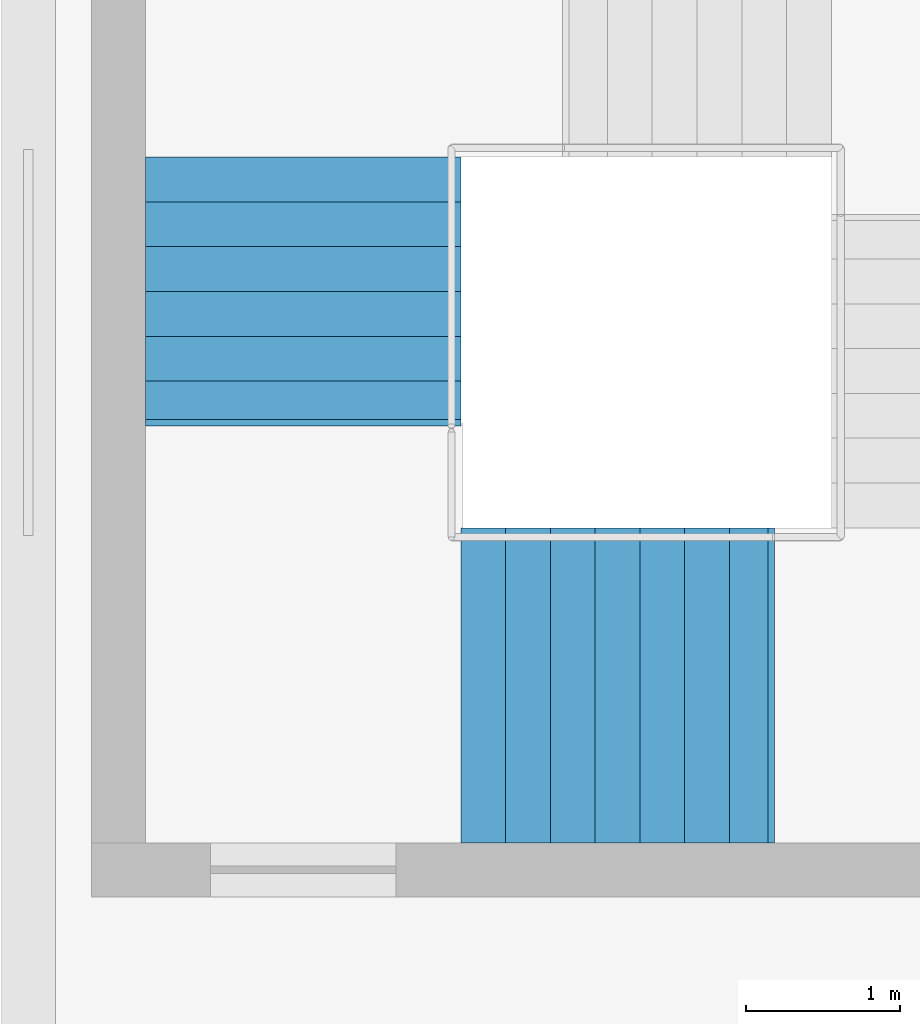
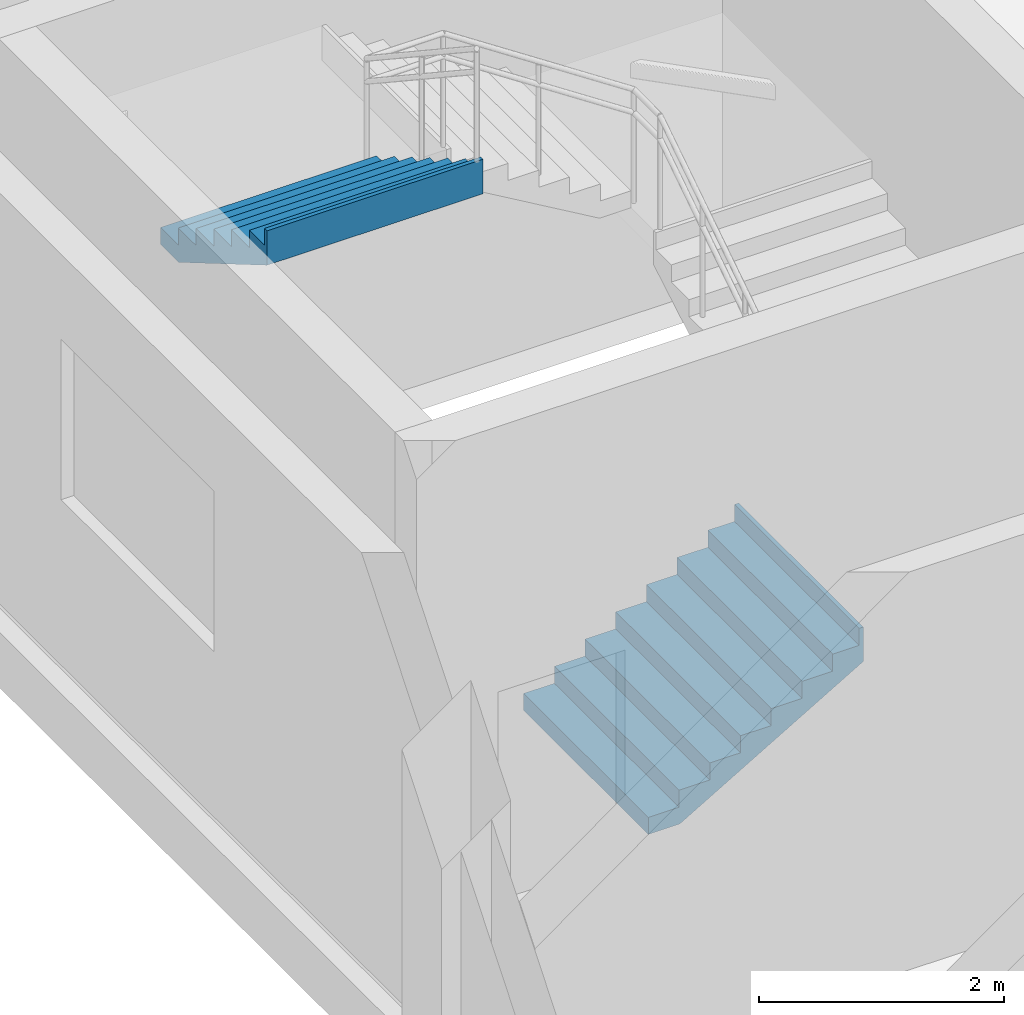
# One storey, part 50 of 58: 2 stair flights, 1 element without a shape of its own.
"""IFC4 building model written with IfcOpenShell, lengths in metres."""

from ifc_helpers import new_model, si_unit, direction, frame, origin, place, context, subcontext, project, spatial, triangles, material, type_object, element, aggregate, save


model = new_model("IFC4")

# Units and contexts
model_context = context("Model", 3, precision=1e-05, world=origin(), true_north=direction((0.0, 1.0)))
body_context = subcontext(model_context, "Body", "Model", "MODEL_VIEW")
ifc_project = project(units=[si_unit("LENGTHUNIT", "METRE"), si_unit("AREAUNIT", "SQUARE_METRE"), si_unit("VOLUMEUNIT", "CUBIC_METRE"), si_unit("PLANEANGLEUNIT", "RADIAN"), si_unit("MASSUNIT", "GRAM", prefix="KILO")], contexts=[model_context])

# Site, building, storey
site_placement = place(None, origin())
site = spatial("IfcSite", under=ifc_project, at=site_placement, CompositionType="ELEMENT")
building_placement = place(site_placement, origin())
building = spatial("IfcBuilding", under=site, at=building_placement, Name="Sillaruma Civic Art Gallery", CompositionType="ELEMENT")
storey_placement = place(building_placement, frame((0.0, 0.0, 52.02001953125)))
storey = spatial("IfcBuildingStorey", under=building, at=storey_placement, Name="L10", CompositionType="ELEMENT", Elevation=52.02001953125)

# Stair, stair flights
ifc_material = material(Name="Concrete H35 (35 MPa)", Category="concrete")
stair_type = type_object("IfcStairType", Name="STR-4F-30", PredefinedType="USERDEFINED", material=ifc_material)
stair_placement = place(storey_placement, origin())
stair = element("IfcStair", 1, at=stair_placement, inside=storey, type_object=stair_type, Name="Protected Exit Stair ST-03 (West Bar South) (L10)", ObjectType="THREE_RETURN_STAIR", PredefinedType="USERDEFINED")
stair_flight_type_1 = type_object("IfcStairFlightType", Name="SFL-STR-7", PredefinedType="STRAIGHT", material=ifc_material)
stair_flight_1_placement = place(storey_placement, frame((63.780029296875, 35.85009765625, 3.909912109375), z_axis=(0.0, 0.0, 1.0), x_axis=(0.0, -1.0, 0.0)))
stair_flight_1 = element("IfcStairFlight", 2, at=stair_flight_1_placement, type_object=stair_flight_type_1, Name="ST-03 flight 4", NumberOfRisers=7, NumberOfTreads=6, PredefinedType="STRAIGHT", RiserHeight=0.17, TreadLength=0.29, context=body_context, shape_type="Tessellation", body=[
    triangles([(0.0, -1.02001953125, 0.0), (0.29, -1.02001953125, 0.0), (0.296404, -1.02001953125, 0.0), (0.58, -1.02001953125, 0.166246), (0.87, -1.02001953125, 0.336246), (1.16, -1.02001953125, 0.506246), (1.45, -1.02001953125, 0.676246), (1.69999, -1.02001953125, 0.822792), (1.73999, -1.02001953125, 0.84624), (1.73999, -1.02001953125, 1.19), (1.69999, -1.02001953125, 1.19), (1.69999, -1.02001953125, 1.02), (1.45, -1.02001953125, 1.02), (1.45, -1.02001953125, 0.85), (1.16, -1.02001953125, 0.85), (1.16, -1.02001953125, 0.68), (0.87, -1.02001953125, 0.68), (0.87, -1.02001953125, 0.51), (0.58, -1.02001953125, 0.51), (0.58, -1.02001953125, 0.34), (0.296404, -1.02001953125, 0.34), (0.29, -1.02001953125, 0.34), (0.29, -1.02001953125, 0.17), (0.0, -1.02001953125, 0.17), (0.0, -0.05, 0.0), (0.29, -0.05, 0.0), (0.296404, -0.05, 0.0), (0.58, -0.05, 0.166246), (0.87, -0.05, 0.336246), (1.16, -0.05, 0.506246), (1.45, -0.05, 0.676246), (1.69999, -0.05, 0.822792), (1.73999, -0.05, 0.84624), (1.73999, -0.05, 1.19), (1.69999, -0.05, 1.19), (1.69999, -0.05, 1.02), (1.45, -0.05, 1.02), (1.45, -0.05, 0.85), (1.16, -0.05, 0.85), (1.16, -0.05, 0.68), (0.87, -0.05, 0.68), (0.87, -0.05, 0.51), (0.58, -0.05, 0.51), (0.58, -0.05, 0.34), (0.296404, -0.05, 0.34), (0.29, -0.05, 0.34), (0.29, -0.05, 0.17), (0.0, -0.05, 0.17), (0.0, -0.0375, 0.0), (0.29, -0.0375, 0.0), (0.296404, -0.0375, 0.0), (0.58, -0.0375, 0.166246), (0.87, -0.0375, 0.336246), (1.16, -0.0375, 0.506246), (1.45, -0.0375, 0.676246), (1.69999, -0.0375, 0.822792), (1.73999, -0.0375, 0.84624), (1.73999, -0.0375, 1.19), (1.69999, -0.0375, 1.19), (1.69999, -0.0375, 1.02), (1.45, -0.0375, 1.02), (1.45, -0.0375, 0.85), (1.16, -0.0375, 0.85), (1.16, -0.0375, 0.68), (0.87, -0.0375, 0.68), (0.87, -0.0375, 0.51), (0.58, -0.0375, 0.51), (0.58, -0.0375, 0.34), (0.296404, -0.0375, 0.34), (0.29, -0.0375, 0.34), (0.29, -0.0375, 0.17), (0.0, -0.0375, 0.17), (0.0, -0.025, 0.0), (0.29, -0.025, 0.0), (0.296404, -0.025, 0.0), (0.58, -0.025, 0.166246), (0.87, -0.025, 0.336246), (1.16, -0.025, 0.506246), (1.45, -0.025, 0.676246), (1.69999, -0.025, 0.822792), (1.73999, -0.025, 0.84624), (1.73999, -0.025, 1.19), (1.69999, -0.025, 1.19), (1.69999, -0.025, 1.02), (1.45, -0.025, 1.02), (1.45, -0.025, 0.85), (1.16, -0.025, 0.85), (1.16, -0.025, 0.68), (0.87, -0.025, 0.68), (0.87, -0.025, 0.51), (0.58, -0.025, 0.51), (0.58, -0.025, 0.34), (0.296404, -0.025, 0.34), (0.29, -0.025, 0.34), (0.29, -0.025, 0.17), (0.0, -0.025, 0.17), (0.0, -0.0125, 0.0), (0.29, -0.0125, 0.0), (0.296404, -0.0125, 0.0), (0.58, -0.0125, 0.166246), (0.87, -0.0125, 0.336246), (1.16, -0.0125, 0.506246), (1.45, -0.0125, 0.676246), (1.69999, -0.0125, 0.822792), (1.73999, -0.0125, 0.84624), (1.73999, -0.0125, 1.19), (1.69999, -0.0125, 1.19), (1.69999, -0.0125, 1.02), (1.45, -0.0125, 1.02), (1.45, -0.0125, 0.85), (1.16, -0.0125, 0.85), (1.16, -0.0125, 0.68), (0.87, -0.0125, 0.68), (0.87, -0.0125, 0.51), (0.58, -0.0125, 0.51), (0.58, -0.0125, 0.34), (0.296404, -0.0125, 0.34), (0.29, -0.0125, 0.34), (0.29, -0.0125, 0.17), (0.0, -0.0125, 0.17), (0.0, 0.0, 0.0), (0.29, 0.0, 0.0), (0.296404, 0.0, 0.0), (0.58, 0.0, 0.166246), (0.87, 0.0, 0.336246), (1.16, 0.0, 0.506246), (1.45, 0.0, 0.676246), (1.69999, 0.0, 0.822792), (1.73999, 0.0, 0.84624), (1.73999, 0.0, 1.19), (1.69999, 0.0, 1.19), (1.69999, 0.0, 1.02), (1.45, 0.0, 1.02), (1.45, 0.0, 0.85), (1.16, 0.0, 0.85), (1.16, 0.0, 0.68), (0.87, 0.0, 0.68), (0.87, 0.0, 0.51), (0.58, 0.0, 0.51), (0.58, 0.0, 0.34), (0.296404, 0.0, 0.34), (0.29, 0.0, 0.34), (0.29, 0.0, 0.17), (0.0, 0.0, 0.17), (0.0, 0.0125, 0.0), (0.29, 0.0125, 0.0), (0.296404, 0.0125, 0.0), (0.58, 0.0125, 0.166246), (0.87, 0.0125, 0.336246), (1.16, 0.0125, 0.506246), (1.45, 0.0125, 0.676246), (1.69999, 0.0125, 0.822792), (1.73999, 0.0125, 0.84624), (1.73999, 0.0125, 1.19), (1.69999, 0.0125, 1.19), (1.69999, 0.0125, 1.02), (1.45, 0.0125, 1.02), (1.45, 0.0125, 0.85), (1.16, 0.0125, 0.85), (1.16, 0.0125, 0.68), (0.87, 0.0125, 0.68), (0.87, 0.0125, 0.51), (0.58, 0.0125, 0.51), (0.58, 0.0125, 0.34), (0.296404, 0.0125, 0.34), (0.29, 0.0125, 0.34), (0.29, 0.0125, 0.17), (0.0, 0.0125, 0.17), (0.0, 0.025, 0.0), (0.29, 0.025, 0.0), (0.296404, 0.025, 0.0), (0.58, 0.025, 0.166246), (0.87, 0.025, 0.336246), (1.16, 0.025, 0.506246), (1.45, 0.025, 0.676246), (1.69999, 0.025, 0.822792), (1.73999, 0.025, 0.84624), (1.73999, 0.025, 1.19), (1.69999, 0.025, 1.19), (1.69999, 0.025, 1.02), (1.45, 0.025, 1.02), (1.45, 0.025, 0.85), (1.16, 0.025, 0.85), (1.16, 0.025, 0.68), (0.87, 0.025, 0.68), (0.87, 0.025, 0.51), (0.58, 0.025, 0.51), (0.58, 0.025, 0.34), (0.296404, 0.025, 0.34), (0.29, 0.025, 0.34), (0.29, 0.025, 0.17), (0.0, 0.025, 0.17), (0.0, 0.0375, 0.0), (0.29, 0.0375, 0.0), (0.296404, 0.0375, 0.0), (0.58, 0.0375, 0.166246), (0.87, 0.0375, 0.336246), (1.16, 0.0375, 0.506246), (1.45, 0.0375, 0.676246), (1.69999, 0.0375, 0.822792), (1.73999, 0.0375, 0.84624), (1.73999, 0.0375, 1.19), (1.69999, 0.0375, 1.19), (1.69999, 0.0375, 1.02), (1.45, 0.0375, 1.02), (1.45, 0.0375, 0.85), (1.16, 0.0375, 0.85), (1.16, 0.0375, 0.68), (0.87, 0.0375, 0.68), (0.87, 0.0375, 0.51), (0.58, 0.0375, 0.51), (0.58, 0.0375, 0.34), (0.296404, 0.0375, 0.34), (0.29, 0.0375, 0.34), (0.29, 0.0375, 0.17), (0.0, 0.0375, 0.17), (0.0, 0.05, 0.0), (0.29, 0.05, 0.0), (0.296404, 0.05, 0.0), (0.58, 0.05, 0.166246), (0.87, 0.05, 0.336246), (1.16, 0.05, 0.506246), (1.45, 0.05, 0.676246), (1.69999, 0.05, 0.822792), (1.73999, 0.05, 0.84624), (1.73999, 0.05, 1.19), (1.69999, 0.05, 1.19), (1.69999, 0.05, 1.02), (1.45, 0.05, 1.02), (1.45, 0.05, 0.85), (1.16, 0.05, 0.85), (1.16, 0.05, 0.68), (0.87, 0.05, 0.68), (0.87, 0.05, 0.51), (0.58, 0.05, 0.51), (0.58, 0.05, 0.34), (0.296404, 0.05, 0.34), (0.29, 0.05, 0.34), (0.29, 0.05, 0.17), (0.0, 0.05, 0.17), (0.0, 1.02001953125, 0.0), (0.29, 1.02001953125, 0.0), (0.296404, 1.02001953125, 0.0), (0.58, 1.02001953125, 0.166246), (0.87, 1.02001953125, 0.336246), (1.16, 1.02001953125, 0.506246), (1.45, 1.02001953125, 0.676246), (1.69999, 1.02001953125, 0.822792), (1.73999, 1.02001953125, 0.84624), (1.73999, 1.02001953125, 1.19), (1.69999, 1.02001953125, 1.19), (1.69999, 1.02001953125, 1.02), (1.45, 1.02001953125, 1.02), (1.45, 1.02001953125, 0.85), (1.16, 1.02001953125, 0.85), (1.16, 1.02001953125, 0.68), (0.87, 1.02001953125, 0.68), (0.87, 1.02001953125, 0.51), (0.58, 1.02001953125, 0.51), (0.58, 1.02001953125, 0.34), (0.296404, 1.02001953125, 0.34), (0.29, 1.02001953125, 0.34), (0.29, 1.02001953125, 0.17), (0.0, 1.02001953125, 0.17)], [[1, 2, 23], [1, 23, 24], [2, 3, 21], [2, 21, 23], [23, 21, 22], [3, 4, 20], [3, 20, 21], [4, 5, 18], [4, 18, 20], [20, 18, 19], [5, 6, 16], [5, 16, 18], [18, 16, 17], [6, 7, 14], [6, 14, 16], [16, 14, 15], [7, 8, 12], [7, 12, 14], [14, 12, 13], [8, 9, 10], [8, 10, 12], [12, 10, 11], [263, 242, 241], [264, 263, 241], [261, 243, 242], [263, 261, 242], [262, 261, 263], [260, 244, 243], [261, 260, 243], [258, 245, 244], [260, 258, 244], [259, 258, 260], [256, 246, 245], [258, 256, 245], [257, 256, 258], [254, 247, 246], [256, 254, 246], [255, 254, 256], [252, 248, 247], [254, 252, 247], [253, 252, 254], [250, 249, 248], [252, 250, 248], [251, 250, 252], [2, 1, 25], [2, 25, 26], [3, 2, 26], [3, 26, 27], [4, 3, 27], [4, 27, 28], [5, 4, 28], [5, 28, 29], [6, 5, 29], [6, 29, 30], [7, 6, 30], [7, 30, 31], [8, 7, 31], [8, 31, 32], [9, 8, 32], [9, 32, 33], [10, 9, 33], [10, 33, 34], [11, 10, 34], [11, 34, 35], [12, 11, 35], [12, 35, 36], [13, 12, 36], [13, 36, 37], [14, 13, 37], [14, 37, 38], [15, 14, 38], [15, 38, 39], [16, 15, 39], [16, 39, 40], [17, 16, 40], [17, 40, 41], [18, 17, 41], [18, 41, 42], [19, 18, 42], [19, 42, 43], [20, 19, 43], [20, 43, 44], [21, 20, 44], [21, 44, 45], [22, 21, 45], [22, 45, 46], [23, 22, 46], [23, 46, 47], [24, 23, 47], [24, 47, 48], [1, 24, 48], [1, 48, 25], [26, 25, 49], [26, 49, 50], [27, 26, 50], [27, 50, 51], [28, 27, 51], [28, 51, 52], [29, 28, 52], [29, 52, 53], [30, 29, 53], [30, 53, 54], [31, 30, 54], [31, 54, 55], [32, 31, 55], [32, 55, 56], [33, 32, 56], [33, 56, 57], [34, 33, 57], [34, 57, 58], [35, 34, 58], [35, 58, 59], [36, 35, 59], [36, 59, 60], [37, 36, 60], [37, 60, 61], [38, 37, 61], [38, 61, 62], [39, 38, 62], [39, 62, 63], [40, 39, 63], [40, 63, 64], [41, 40, 64], [41, 64, 65], [42, 41, 65], [42, 65, 66], [43, 42, 66], [43, 66, 67], [44, 43, 67], [44, 67, 68], [45, 44, 68], [45, 68, 69], [46, 45, 69], [46, 69, 70], [47, 46, 70], [47, 70, 71], [48, 47, 71], [48, 71, 72], [25, 48, 72], [25, 72, 49], [50, 49, 73], [50, 73, 74], [51, 50, 74], [51, 74, 75], [52, 51, 75], [52, 75, 76], [53, 52, 76], [53, 76, 77], [54, 53, 77], [54, 77, 78], [55, 54, 78], [55, 78, 79], [56, 55, 79], [56, 79, 80], [57, 56, 80], [57, 80, 81], [58, 57, 81], [58, 81, 82], [59, 58, 82], [59, 82, 83], [60, 59, 83], [60, 83, 84], [61, 60, 84], [61, 84, 85], [62, 61, 85], [62, 85, 86], [63, 62, 86], [63, 86, 87], [64, 63, 87], [64, 87, 88], [65, 64, 88], [65, 88, 89], [66, 65, 89], [66, 89, 90], [67, 66, 90], [67, 90, 91], [68, 67, 91], [68, 91, 92], [69, 68, 92], [69, 92, 93], [70, 69, 93], [70, 93, 94], [71, 70, 94], [71, 94, 95], [72, 71, 95], [72, 95, 96], [49, 72, 96], [49, 96, 73], [74, 73, 97], [74, 97, 98], [75, 74, 98], [75, 98, 99], [76, 75, 99], [76, 99, 100], [77, 76, 100], [77, 100, 101], [78, 77, 101], [78, 101, 102], [79, 78, 102], [79, 102, 103], [80, 79, 103], [80, 103, 104], [81, 80, 104], [81, 104, 105], [82, 81, 105], [82, 105, 106], [83, 82, 106], [83, 106, 107], [84, 83, 107], [84, 107, 108], [85, 84, 108], [85, 108, 109], [86, 85, 109], [86, 109, 110], [87, 86, 110], [87, 110, 111], [88, 87, 111], [88, 111, 112], [89, 88, 112], [89, 112, 113], [90, 89, 113], [90, 113, 114], [91, 90, 114], [91, 114, 115], [92, 91, 115], [92, 115, 116], [93, 92, 116], [93, 116, 117], [94, 93, 117], [94, 117, 118], [95, 94, 118], [95, 118, 119], [96, 95, 119], [96, 119, 120], [73, 96, 120], [73, 120, 97], [98, 97, 121], [98, 121, 122], [99, 98, 122], [99, 122, 123], [100, 99, 123], [100, 123, 124], [101, 100, 124], [101, 124, 125], [102, 101, 125], [102, 125, 126], [103, 102, 126], [103, 126, 127], [104, 103, 127], [104, 127, 128], [105, 104, 128], [105, 128, 129], [106, 105, 129], [106, 129, 130], [107, 106, 130], [107, 130, 131], [108, 107, 131], [108, 131, 132], [109, 108, 132], [109, 132, 133], [110, 109, 133], [110, 133, 134], [111, 110, 134], [111, 134, 135], [112, 111, 135], [112, 135, 136], [113, 112, 136], [113, 136, 137], [114, 113, 137], [114, 137, 138], [115, 114, 138], [115, 138, 139], [116, 115, 139], [116, 139, 140], [117, 116, 140], [117, 140, 141], [118, 117, 141], [118, 141, 142], [119, 118, 142], [119, 142, 143], [120, 119, 143], [120, 143, 144], [97, 120, 144], [97, 144, 121], [122, 121, 145], [122, 145, 146], [123, 122, 146], [123, 146, 147], [124, 123, 147], [124, 147, 148], [125, 124, 148], [125, 148, 149], [126, 125, 149], [126, 149, 150], [127, 126, 150], [127, 150, 151], [128, 127, 151], [128, 151, 152], [129, 128, 152], [129, 152, 153], [130, 129, 153], [130, 153, 154], [131, 130, 154], [131, 154, 155], [132, 131, 155], [132, 155, 156], [133, 132, 156], [133, 156, 157], [134, 133, 157], [134, 157, 158], [135, 134, 158], [135, 158, 159], [136, 135, 159], [136, 159, 160], [137, 136, 160], [137, 160, 161], [138, 137, 161], [138, 161, 162], [139, 138, 162], [139, 162, 163], [140, 139, 163], [140, 163, 164], [141, 140, 164], [141, 164, 165], [142, 141, 165], [142, 165, 166], [143, 142, 166], [143, 166, 167], [144, 143, 167], [144, 167, 168], [121, 144, 168], [121, 168, 145], [146, 145, 169], [146, 169, 170], [147, 146, 170], [147, 170, 171], [148, 147, 171], [148, 171, 172], [149, 148, 172], [149, 172, 173], [150, 149, 173], [150, 173, 174], [151, 150, 174], [151, 174, 175], [152, 151, 175], [152, 175, 176], [153, 152, 176], [153, 176, 177], [154, 153, 177], [154, 177, 178], [155, 154, 178], [155, 178, 179], [156, 155, 179], [156, 179, 180], [157, 156, 180], [157, 180, 181], [158, 157, 181], [158, 181, 182], [159, 158, 182], [159, 182, 183], [160, 159, 183], [160, 183, 184], [161, 160, 184], [161, 184, 185], [162, 161, 185], [162, 185, 186], [163, 162, 186], [163, 186, 187], [164, 163, 187], [164, 187, 188], [165, 164, 188], [165, 188, 189], [166, 165, 189], [166, 189, 190], [167, 166, 190], [167, 190, 191], [168, 167, 191], [168, 191, 192], [145, 168, 192], [145, 192, 169], [170, 169, 193], [170, 193, 194], [171, 170, 194], [171, 194, 195], [172, 171, 195], [172, 195, 196], [173, 172, 196], [173, 196, 197], [174, 173, 197], [174, 197, 198], [175, 174, 198], [175, 198, 199], [176, 175, 199], [176, 199, 200], [177, 176, 200], [177, 200, 201], [178, 177, 201], [178, 201, 202], [179, 178, 202], [179, 202, 203], [180, 179, 203], [180, 203, 204], [181, 180, 204], [181, 204, 205], [182, 181, 205], [182, 205, 206], [183, 182, 206], [183, 206, 207], [184, 183, 207], [184, 207, 208], [185, 184, 208], [185, 208, 209], [186, 185, 209], [186, 209, 210], [187, 186, 210], [187, 210, 211], [188, 187, 211], [188, 211, 212], [189, 188, 212], [189, 212, 213], [190, 189, 213], [190, 213, 214], [191, 190, 214], [191, 214, 215], [192, 191, 215], [192, 215, 216], [169, 192, 216], [169, 216, 193], [194, 193, 217], [194, 217, 218], [195, 194, 218], [195, 218, 219], [196, 195, 219], [196, 219, 220], [197, 196, 220], [197, 220, 221], [198, 197, 221], [198, 221, 222], [199, 198, 222], [199, 222, 223], [200, 199, 223], [200, 223, 224], [201, 200, 224], [201, 224, 225], [202, 201, 225], [202, 225, 226], [203, 202, 226], [203, 226, 227], [204, 203, 227], [204, 227, 228], [205, 204, 228], [205, 228, 229], [206, 205, 229], [206, 229, 230], [207, 206, 230], [207, 230, 231], [208, 207, 231], [208, 231, 232], [209, 208, 232], [209, 232, 233], [210, 209, 233], [210, 233, 234], [211, 210, 234], [211, 234, 235], [212, 211, 235], [212, 235, 236], [213, 212, 236], [213, 236, 237], [214, 213, 237], [214, 237, 238], [215, 214, 238], [215, 238, 239], [216, 215, 239], [216, 239, 240], [193, 216, 240], [193, 240, 217], [218, 217, 241], [218, 241, 242], [219, 218, 242], [219, 242, 243], [220, 219, 243], [220, 243, 244], [221, 220, 244], [221, 244, 245], [222, 221, 245], [222, 245, 246], [223, 222, 246], [223, 246, 247], [224, 223, 247], [224, 247, 248], [225, 224, 248], [225, 248, 249], [226, 225, 249], [226, 249, 250], [227, 226, 250], [227, 250, 251], [228, 227, 251], [228, 251, 252], [229, 228, 252], [229, 252, 253], [230, 229, 253], [230, 253, 254], [231, 230, 254], [231, 254, 255], [232, 231, 255], [232, 255, 256], [233, 232, 256], [233, 256, 257], [234, 233, 257], [234, 257, 258], [235, 234, 258], [235, 258, 259], [236, 235, 259], [236, 259, 260], [237, 236, 260], [237, 260, 261], [238, 237, 261], [238, 261, 262], [239, 238, 262], [239, 262, 263], [240, 239, 263], [240, 263, 264], [217, 240, 264], [217, 264, 241]], closed=True),
])
stair_flight_type_2 = type_object("IfcStairFlightType", Name="SFL-STR-8", PredefinedType="STRAIGHT", material=ifc_material)
stair_flight_2_placement = place(storey_placement, frame((64.800048828125, 32.429931640625, 0.0), z_axis=(0.0, 0.0, 1.0), x_axis=(1.0, 0.0, 0.0)))
stair_flight_2 = element("IfcStairFlight", 3, at=stair_flight_2_placement, type_object=stair_flight_type_2, Name="ST-03 flight 1", NumberOfRisers=8, NumberOfTreads=7, PredefinedType="STRAIGHT", RiserHeight=0.17, TreadLength=0.29, context=body_context, shape_type="Tessellation", body=[
    triangles([(0.0, -1.02001953125, 0.0), (0.29, -1.02001953125, 0.0), (0.296443, -1.02001953125, 0.0), (0.58, -1.02001953125, 0.166223), (0.87, -1.02001953125, 0.336223), (1.16, -1.02001953125, 0.506223), (1.45, -1.02001953125, 0.676223), (1.74, -1.02001953125, 0.846223), (1.990029, -1.02001953125, 0.992792), (2.030029, -1.02001953125, 1.01624), (2.030029, -1.02001953125, 1.36), (1.990029, -1.02001953125, 1.36), (1.990029, -1.02001953125, 1.19), (1.74, -1.02001953125, 1.19), (1.74, -1.02001953125, 1.02), (1.45, -1.02001953125, 1.02), (1.45, -1.02001953125, 0.85), (1.16, -1.02001953125, 0.85), (1.16, -1.02001953125, 0.68), (0.87, -1.02001953125, 0.68), (0.87, -1.02001953125, 0.51), (0.58, -1.02001953125, 0.51), (0.58, -1.02001953125, 0.34), (0.296443, -1.02001953125, 0.34), (0.29, -1.02001953125, 0.34), (0.29, -1.02001953125, 0.17), (0.0, -1.02001953125, 0.17), (0.0, -0.05, 0.0), (0.29, -0.05, 0.0), (0.296443, -0.05, 0.0), (0.58, -0.05, 0.166223), (0.87, -0.05, 0.336223), (1.16, -0.05, 0.506223), (1.45, -0.05, 0.676223), (1.74, -0.05, 0.846223), (1.990029, -0.05, 0.992792), (2.030029, -0.05, 1.01624), (2.030029, -0.05, 1.36), (1.990029, -0.05, 1.36), (1.990029, -0.05, 1.19), (1.74, -0.05, 1.19), (1.74, -0.05, 1.02), (1.45, -0.05, 1.02), (1.45, -0.05, 0.85), (1.16, -0.05, 0.85), (1.16, -0.05, 0.68), (0.87, -0.05, 0.68), (0.87, -0.05, 0.51), (0.58, -0.05, 0.51), (0.58, -0.05, 0.34), (0.296443, -0.05, 0.34), (0.29, -0.05, 0.34), (0.29, -0.05, 0.17), (0.0, -0.05, 0.17), (0.0, -0.0375, 0.0), (0.29, -0.0375, 0.0), (0.296443, -0.0375, 0.0), (0.58, -0.0375, 0.166223), (0.87, -0.0375, 0.336223), (1.16, -0.0375, 0.506223), (1.45, -0.0375, 0.676223), (1.74, -0.0375, 0.846223), (1.990029, -0.0375, 0.992792), (2.030029, -0.0375, 1.01624), (2.030029, -0.0375, 1.36), (1.990029, -0.0375, 1.36), (1.990029, -0.0375, 1.19), (1.74, -0.0375, 1.19), (1.74, -0.0375, 1.02), (1.45, -0.0375, 1.02), (1.45, -0.0375, 0.85), (1.16, -0.0375, 0.85), (1.16, -0.0375, 0.68), (0.87, -0.0375, 0.68), (0.87, -0.0375, 0.51), (0.58, -0.0375, 0.51), (0.58, -0.0375, 0.34), (0.296443, -0.0375, 0.34), (0.29, -0.0375, 0.34), (0.29, -0.0375, 0.17), (0.0, -0.0375, 0.17), (0.0, -0.025, 0.0), (0.29, -0.025, 0.0), (0.296443, -0.025, 0.0), (0.58, -0.025, 0.166223), (0.87, -0.025, 0.336223), (1.16, -0.025, 0.506223), (1.45, -0.025, 0.676223), (1.74, -0.025, 0.846223), (1.990029, -0.025, 0.992792), (2.030029, -0.025, 1.01624), (2.030029, -0.025, 1.36), (1.990029, -0.025, 1.36), (1.990029, -0.025, 1.19), (1.74, -0.025, 1.19), (1.74, -0.025, 1.02), (1.45, -0.025, 1.02), (1.45, -0.025, 0.85), (1.16, -0.025, 0.85), (1.16, -0.025, 0.68), (0.87, -0.025, 0.68), (0.87, -0.025, 0.51), (0.58, -0.025, 0.51), (0.58, -0.025, 0.34), (0.296443, -0.025, 0.34), (0.29, -0.025, 0.34), (0.29, -0.025, 0.17), (0.0, -0.025, 0.17), (0.0, -0.0125, 0.0), (0.29, -0.0125, 0.0), (0.296443, -0.0125, 0.0), (0.58, -0.0125, 0.166223), (0.87, -0.0125, 0.336223), (1.16, -0.0125, 0.506223), (1.45, -0.0125, 0.676223), (1.74, -0.0125, 0.846223), (1.990029, -0.0125, 0.992792), (2.030029, -0.0125, 1.01624), (2.030029, -0.0125, 1.36), (1.990029, -0.0125, 1.36), (1.990029, -0.0125, 1.19), (1.74, -0.0125, 1.19), (1.74, -0.0125, 1.02), (1.45, -0.0125, 1.02), (1.45, -0.0125, 0.85), (1.16, -0.0125, 0.85), (1.16, -0.0125, 0.68), (0.87, -0.0125, 0.68), (0.87, -0.0125, 0.51), (0.58, -0.0125, 0.51), (0.58, -0.0125, 0.34), (0.296443, -0.0125, 0.34), (0.29, -0.0125, 0.34), (0.29, -0.0125, 0.17), (0.0, -0.0125, 0.17), (0.0, 0.0, 0.0), (0.29, 0.0, 0.0), (0.296443, 0.0, 0.0), (0.58, 0.0, 0.166223), (0.87, 0.0, 0.336223), (1.16, 0.0, 0.506223), (1.45, 0.0, 0.676223), (1.74, 0.0, 0.846223), (1.990029, 0.0, 0.992792), (2.030029, 0.0, 1.01624), (2.030029, 0.0, 1.36), (1.990029, 0.0, 1.36), (1.990029, 0.0, 1.19), (1.74, 0.0, 1.19), (1.74, 0.0, 1.02), (1.45, 0.0, 1.02), (1.45, 0.0, 0.85), (1.16, 0.0, 0.85), (1.16, 0.0, 0.68), (0.87, 0.0, 0.68), (0.87, 0.0, 0.51), (0.58, 0.0, 0.51), (0.58, 0.0, 0.34), (0.296443, 0.0, 0.34), (0.29, 0.0, 0.34), (0.29, 0.0, 0.17), (0.0, 0.0, 0.17), (0.0, 0.0125, 0.0), (0.29, 0.0125, 0.0), (0.296443, 0.0125, 0.0), (0.58, 0.0125, 0.166223), (0.87, 0.0125, 0.336223), (1.16, 0.0125, 0.506223), (1.45, 0.0125, 0.676223), (1.74, 0.0125, 0.846223), (1.990029, 0.0125, 0.992792), (2.030029, 0.0125, 1.01624), (2.030029, 0.0125, 1.36), (1.990029, 0.0125, 1.36), (1.990029, 0.0125, 1.19), (1.74, 0.0125, 1.19), (1.74, 0.0125, 1.02), (1.45, 0.0125, 1.02), (1.45, 0.0125, 0.85), (1.16, 0.0125, 0.85), (1.16, 0.0125, 0.68), (0.87, 0.0125, 0.68), (0.87, 0.0125, 0.51), (0.58, 0.0125, 0.51), (0.58, 0.0125, 0.34), (0.296443, 0.0125, 0.34), (0.29, 0.0125, 0.34), (0.29, 0.0125, 0.17), (0.0, 0.0125, 0.17), (0.0, 0.025, 0.0), (0.29, 0.025, 0.0), (0.296443, 0.025, 0.0), (0.58, 0.025, 0.166223), (0.87, 0.025, 0.336223), (1.16, 0.025, 0.506223), (1.45, 0.025, 0.676223), (1.74, 0.025, 0.846223), (1.990029, 0.025, 0.992792), (2.030029, 0.025, 1.01624), (2.030029, 0.025, 1.36), (1.990029, 0.025, 1.36), (1.990029, 0.025, 1.19), (1.74, 0.025, 1.19), (1.74, 0.025, 1.02), (1.45, 0.025, 1.02), (1.45, 0.025, 0.85), (1.16, 0.025, 0.85), (1.16, 0.025, 0.68), (0.87, 0.025, 0.68), (0.87, 0.025, 0.51), (0.58, 0.025, 0.51), (0.58, 0.025, 0.34), (0.296443, 0.025, 0.34), (0.29, 0.025, 0.34), (0.29, 0.025, 0.17), (0.0, 0.025, 0.17), (0.0, 0.0375, 0.0), (0.29, 0.0375, 0.0), (0.296443, 0.0375, 0.0), (0.58, 0.0375, 0.166223), (0.87, 0.0375, 0.336223), (1.16, 0.0375, 0.506223), (1.45, 0.0375, 0.676223), (1.74, 0.0375, 0.846223), (1.990029, 0.0375, 0.992792), (2.030029, 0.0375, 1.01624), (2.030029, 0.0375, 1.36), (1.990029, 0.0375, 1.36), (1.990029, 0.0375, 1.19), (1.74, 0.0375, 1.19), (1.74, 0.0375, 1.02), (1.45, 0.0375, 1.02), (1.45, 0.0375, 0.85), (1.16, 0.0375, 0.85), (1.16, 0.0375, 0.68), (0.87, 0.0375, 0.68), (0.87, 0.0375, 0.51), (0.58, 0.0375, 0.51), (0.58, 0.0375, 0.34), (0.296443, 0.0375, 0.34), (0.29, 0.0375, 0.34), (0.29, 0.0375, 0.17), (0.0, 0.0375, 0.17), (0.0, 0.05, 0.0), (0.29, 0.05, 0.0), (0.296443, 0.05, 0.0), (0.58, 0.05, 0.166223), (0.87, 0.05, 0.336223), (1.16, 0.05, 0.506223), (1.45, 0.05, 0.676223), (1.74, 0.05, 0.846223), (1.990029, 0.05, 0.992792), (2.030029, 0.05, 1.01624), (2.030029, 0.05, 1.36), (1.990029, 0.05, 1.36), (1.990029, 0.05, 1.19), (1.74, 0.05, 1.19), (1.74, 0.05, 1.02), (1.45, 0.05, 1.02), (1.45, 0.05, 0.85), (1.16, 0.05, 0.85), (1.16, 0.05, 0.68), (0.87, 0.05, 0.68), (0.87, 0.05, 0.51), (0.58, 0.05, 0.51), (0.58, 0.05, 0.34), (0.296443, 0.05, 0.34), (0.29, 0.05, 0.34), (0.29, 0.05, 0.17), (0.0, 0.05, 0.17), (0.0, 1.02001953125, 0.0), (0.29, 1.02001953125, 0.0), (0.296443, 1.02001953125, 0.0), (0.58, 1.02001953125, 0.166223), (0.87, 1.02001953125, 0.336223), (1.16, 1.02001953125, 0.506223), (1.45, 1.02001953125, 0.676223), (1.74, 1.02001953125, 0.846223), (1.990029, 1.02001953125, 0.992792), (2.030029, 1.02001953125, 1.01624), (2.030029, 1.02001953125, 1.36), (1.990029, 1.02001953125, 1.36), (1.990029, 1.02001953125, 1.19), (1.74, 1.02001953125, 1.19), (1.74, 1.02001953125, 1.02), (1.45, 1.02001953125, 1.02), (1.45, 1.02001953125, 0.85), (1.16, 1.02001953125, 0.85), (1.16, 1.02001953125, 0.68), (0.87, 1.02001953125, 0.68), (0.87, 1.02001953125, 0.51), (0.58, 1.02001953125, 0.51), (0.58, 1.02001953125, 0.34), (0.296443, 1.02001953125, 0.34), (0.29, 1.02001953125, 0.34), (0.29, 1.02001953125, 0.17), (0.0, 1.02001953125, 0.17)], [[1, 2, 26], [1, 26, 27], [2, 3, 24], [2, 24, 26], [26, 24, 25], [3, 4, 23], [3, 23, 24], [4, 5, 21], [4, 21, 23], [23, 21, 22], [5, 6, 19], [5, 19, 21], [21, 19, 20], [6, 7, 17], [6, 17, 19], [19, 17, 18], [7, 8, 15], [7, 15, 17], [17, 15, 16], [8, 9, 13], [8, 13, 15], [15, 13, 14], [9, 10, 11], [9, 11, 13], [13, 11, 12], [296, 272, 271], [297, 296, 271], [294, 273, 272], [296, 294, 272], [295, 294, 296], [293, 274, 273], [294, 293, 273], [291, 275, 274], [293, 291, 274], [292, 291, 293], [289, 276, 275], [291, 289, 275], [290, 289, 291], [287, 277, 276], [289, 287, 276], [288, 287, 289], [285, 278, 277], [287, 285, 277], [286, 285, 287], [283, 279, 278], [285, 283, 278], [284, 283, 285], [281, 280, 279], [283, 281, 279], [282, 281, 283], [2, 1, 28], [2, 28, 29], [3, 2, 29], [3, 29, 30], [4, 3, 30], [4, 30, 31], [5, 4, 31], [5, 31, 32], [6, 5, 32], [6, 32, 33], [7, 6, 33], [7, 33, 34], [8, 7, 34], [8, 34, 35], [9, 8, 35], [9, 35, 36], [10, 9, 36], [10, 36, 37], [11, 10, 37], [11, 37, 38], [12, 11, 38], [12, 38, 39], [13, 12, 39], [13, 39, 40], [14, 13, 40], [14, 40, 41], [15, 14, 41], [15, 41, 42], [16, 15, 42], [16, 42, 43], [17, 16, 43], [17, 43, 44], [18, 17, 44], [18, 44, 45], [19, 18, 45], [19, 45, 46], [20, 19, 46], [20, 46, 47], [21, 20, 47], [21, 47, 48], [22, 21, 48], [22, 48, 49], [23, 22, 49], [23, 49, 50], [24, 23, 50], [24, 50, 51], [25, 24, 51], [25, 51, 52], [26, 25, 52], [26, 52, 53], [27, 26, 53], [27, 53, 54], [1, 27, 54], [1, 54, 28], [29, 28, 55], [29, 55, 56], [30, 29, 56], [30, 56, 57], [31, 30, 57], [31, 57, 58], [32, 31, 58], [32, 58, 59], [33, 32, 59], [33, 59, 60], [34, 33, 60], [34, 60, 61], [35, 34, 61], [35, 61, 62], [36, 35, 62], [36, 62, 63], [37, 36, 63], [37, 63, 64], [38, 37, 64], [38, 64, 65], [39, 38, 65], [39, 65, 66], [40, 39, 66], [40, 66, 67], [41, 40, 67], [41, 67, 68], [42, 41, 68], [42, 68, 69], [43, 42, 69], [43, 69, 70], [44, 43, 70], [44, 70, 71], [45, 44, 71], [45, 71, 72], [46, 45, 72], [46, 72, 73], [47, 46, 73], [47, 73, 74], [48, 47, 74], [48, 74, 75], [49, 48, 75], [49, 75, 76], [50, 49, 76], [50, 76, 77], [51, 50, 77], [51, 77, 78], [52, 51, 78], [52, 78, 79], [53, 52, 79], [53, 79, 80], [54, 53, 80], [54, 80, 81], [28, 54, 81], [28, 81, 55], [56, 55, 82], [56, 82, 83], [57, 56, 83], [57, 83, 84], [58, 57, 84], [58, 84, 85], [59, 58, 85], [59, 85, 86], [60, 59, 86], [60, 86, 87], [61, 60, 87], [61, 87, 88], [62, 61, 88], [62, 88, 89], [63, 62, 89], [63, 89, 90], [64, 63, 90], [64, 90, 91], [65, 64, 91], [65, 91, 92], [66, 65, 92], [66, 92, 93], [67, 66, 93], [67, 93, 94], [68, 67, 94], [68, 94, 95], [69, 68, 95], [69, 95, 96], [70, 69, 96], [70, 96, 97], [71, 70, 97], [71, 97, 98], [72, 71, 98], [72, 98, 99], [73, 72, 99], [73, 99, 100], [74, 73, 100], [74, 100, 101], [75, 74, 101], [75, 101, 102], [76, 75, 102], [76, 102, 103], [77, 76, 103], [77, 103, 104], [78, 77, 104], [78, 104, 105], [79, 78, 105], [79, 105, 106], [80, 79, 106], [80, 106, 107], [81, 80, 107], [81, 107, 108], [55, 81, 108], [55, 108, 82], [83, 82, 109], [83, 109, 110], [84, 83, 110], [84, 110, 111], [85, 84, 111], [85, 111, 112], [86, 85, 112], [86, 112, 113], [87, 86, 113], [87, 113, 114], [88, 87, 114], [88, 114, 115], [89, 88, 115], [89, 115, 116], [90, 89, 116], [90, 116, 117], [91, 90, 117], [91, 117, 118], [92, 91, 118], [92, 118, 119], [93, 92, 119], [93, 119, 120], [94, 93, 120], [94, 120, 121], [95, 94, 121], [95, 121, 122], [96, 95, 122], [96, 122, 123], [97, 96, 123], [97, 123, 124], [98, 97, 124], [98, 124, 125], [99, 98, 125], [99, 125, 126], [100, 99, 126], [100, 126, 127], [101, 100, 127], [101, 127, 128], [102, 101, 128], [102, 128, 129], [103, 102, 129], [103, 129, 130], [104, 103, 130], [104, 130, 131], [105, 104, 131], [105, 131, 132], [106, 105, 132], [106, 132, 133], [107, 106, 133], [107, 133, 134], [108, 107, 134], [108, 134, 135], [82, 108, 135], [82, 135, 109], [110, 109, 136], [110, 136, 137], [111, 110, 137], [111, 137, 138], [112, 111, 138], [112, 138, 139], [113, 112, 139], [113, 139, 140], [114, 113, 140], [114, 140, 141], [115, 114, 141], [115, 141, 142], [116, 115, 142], [116, 142, 143], [117, 116, 143], [117, 143, 144], [118, 117, 144], [118, 144, 145], [119, 118, 145], [119, 145, 146], [120, 119, 146], [120, 146, 147], [121, 120, 147], [121, 147, 148], [122, 121, 148], [122, 148, 149], [123, 122, 149], [123, 149, 150], [124, 123, 150], [124, 150, 151], [125, 124, 151], [125, 151, 152], [126, 125, 152], [126, 152, 153], [127, 126, 153], [127, 153, 154], [128, 127, 154], [128, 154, 155], [129, 128, 155], [129, 155, 156], [130, 129, 156], [130, 156, 157], [131, 130, 157], [131, 157, 158], [132, 131, 158], [132, 158, 159], [133, 132, 159], [133, 159, 160], [134, 133, 160], [134, 160, 161], [135, 134, 161], [135, 161, 162], [109, 135, 162], [109, 162, 136], [137, 136, 163], [137, 163, 164], [138, 137, 164], [138, 164, 165], [139, 138, 165], [139, 165, 166], [140, 139, 166], [140, 166, 167], [141, 140, 167], [141, 167, 168], [142, 141, 168], [142, 168, 169], [143, 142, 169], [143, 169, 170], [144, 143, 170], [144, 170, 171], [145, 144, 171], [145, 171, 172], [146, 145, 172], [146, 172, 173], [147, 146, 173], [147, 173, 174], [148, 147, 174], [148, 174, 175], [149, 148, 175], [149, 175, 176], [150, 149, 176], [150, 176, 177], [151, 150, 177], [151, 177, 178], [152, 151, 178], [152, 178, 179], [153, 152, 179], [153, 179, 180], [154, 153, 180], [154, 180, 181], [155, 154, 181], [155, 181, 182], [156, 155, 182], [156, 182, 183], [157, 156, 183], [157, 183, 184], [158, 157, 184], [158, 184, 185], [159, 158, 185], [159, 185, 186], [160, 159, 186], [160, 186, 187], [161, 160, 187], [161, 187, 188], [162, 161, 188], [162, 188, 189], [136, 162, 189], [136, 189, 163], [164, 163, 190], [164, 190, 191], [165, 164, 191], [165, 191, 192], [166, 165, 192], [166, 192, 193], [167, 166, 193], [167, 193, 194], [168, 167, 194], [168, 194, 195], [169, 168, 195], [169, 195, 196], [170, 169, 196], [170, 196, 197], [171, 170, 197], [171, 197, 198], [172, 171, 198], [172, 198, 199], [173, 172, 199], [173, 199, 200], [174, 173, 200], [174, 200, 201], [175, 174, 201], [175, 201, 202], [176, 175, 202], [176, 202, 203], [177, 176, 203], [177, 203, 204], [178, 177, 204], [178, 204, 205], [179, 178, 205], [179, 205, 206], [180, 179, 206], [180, 206, 207], [181, 180, 207], [181, 207, 208], [182, 181, 208], [182, 208, 209], [183, 182, 209], [183, 209, 210], [184, 183, 210], [184, 210, 211], [185, 184, 211], [185, 211, 212], [186, 185, 212], [186, 212, 213], [187, 186, 213], [187, 213, 214], [188, 187, 214], [188, 214, 215], [189, 188, 215], [189, 215, 216], [163, 189, 216], [163, 216, 190], [191, 190, 217], [191, 217, 218], [192, 191, 218], [192, 218, 219], [193, 192, 219], [193, 219, 220], [194, 193, 220], [194, 220, 221], [195, 194, 221], [195, 221, 222], [196, 195, 222], [196, 222, 223], [197, 196, 223], [197, 223, 224], [198, 197, 224], [198, 224, 225], [199, 198, 225], [199, 225, 226], [200, 199, 226], [200, 226, 227], [201, 200, 227], [201, 227, 228], [202, 201, 228], [202, 228, 229], [203, 202, 229], [203, 229, 230], [204, 203, 230], [204, 230, 231], [205, 204, 231], [205, 231, 232], [206, 205, 232], [206, 232, 233], [207, 206, 233], [207, 233, 234], [208, 207, 234], [208, 234, 235], [209, 208, 235], [209, 235, 236], [210, 209, 236], [210, 236, 237], [211, 210, 237], [211, 237, 238], [212, 211, 238], [212, 238, 239], [213, 212, 239], [213, 239, 240], [214, 213, 240], [214, 240, 241], [215, 214, 241], [215, 241, 242], [216, 215, 242], [216, 242, 243], [190, 216, 243], [190, 243, 217], [218, 217, 244], [218, 244, 245], [219, 218, 245], [219, 245, 246], [220, 219, 246], [220, 246, 247], [221, 220, 247], [221, 247, 248], [222, 221, 248], [222, 248, 249], [223, 222, 249], [223, 249, 250], [224, 223, 250], [224, 250, 251], [225, 224, 251], [225, 251, 252], [226, 225, 252], [226, 252, 253], [227, 226, 253], [227, 253, 254], [228, 227, 254], [228, 254, 255], [229, 228, 255], [229, 255, 256], [230, 229, 256], [230, 256, 257], [231, 230, 257], [231, 257, 258], [232, 231, 258], [232, 258, 259], [233, 232, 259], [233, 259, 260], [234, 233, 260], [234, 260, 261], [235, 234, 261], [235, 261, 262], [236, 235, 262], [236, 262, 263], [237, 236, 263], [237, 263, 264], [238, 237, 264], [238, 264, 265], [239, 238, 265], [239, 265, 266], [240, 239, 266], [240, 266, 267], [241, 240, 267], [241, 267, 268], [242, 241, 268], [242, 268, 269], [243, 242, 269], [243, 269, 270], [217, 243, 270], [217, 270, 244], [245, 244, 271], [245, 271, 272], [246, 245, 272], [246, 272, 273], [247, 246, 273], [247, 273, 274], [248, 247, 274], [248, 274, 275], [249, 248, 275], [249, 275, 276], [250, 249, 276], [250, 276, 277], [251, 250, 277], [251, 277, 278], [252, 251, 278], [252, 278, 279], [253, 252, 279], [253, 279, 280], [254, 253, 280], [254, 280, 281], [255, 254, 281], [255, 281, 282], [256, 255, 282], [256, 282, 283], [257, 256, 283], [257, 283, 284], [258, 257, 284], [258, 284, 285], [259, 258, 285], [259, 285, 286], [260, 259, 286], [260, 286, 287], [261, 260, 287], [261, 287, 288], [262, 261, 288], [262, 288, 289], [263, 262, 289], [263, 289, 290], [264, 263, 290], [264, 290, 291], [265, 264, 291], [265, 291, 292], [266, 265, 292], [266, 292, 293], [267, 266, 293], [267, 293, 294], [268, 267, 294], [268, 294, 295], [269, 268, 295], [269, 295, 296], [270, 269, 296], [270, 296, 297], [244, 270, 297], [244, 297, 271]], closed=True),
])
aggregate(stair, [stair_flight_2, stair_flight_1])

save(model, "model.ifc")
